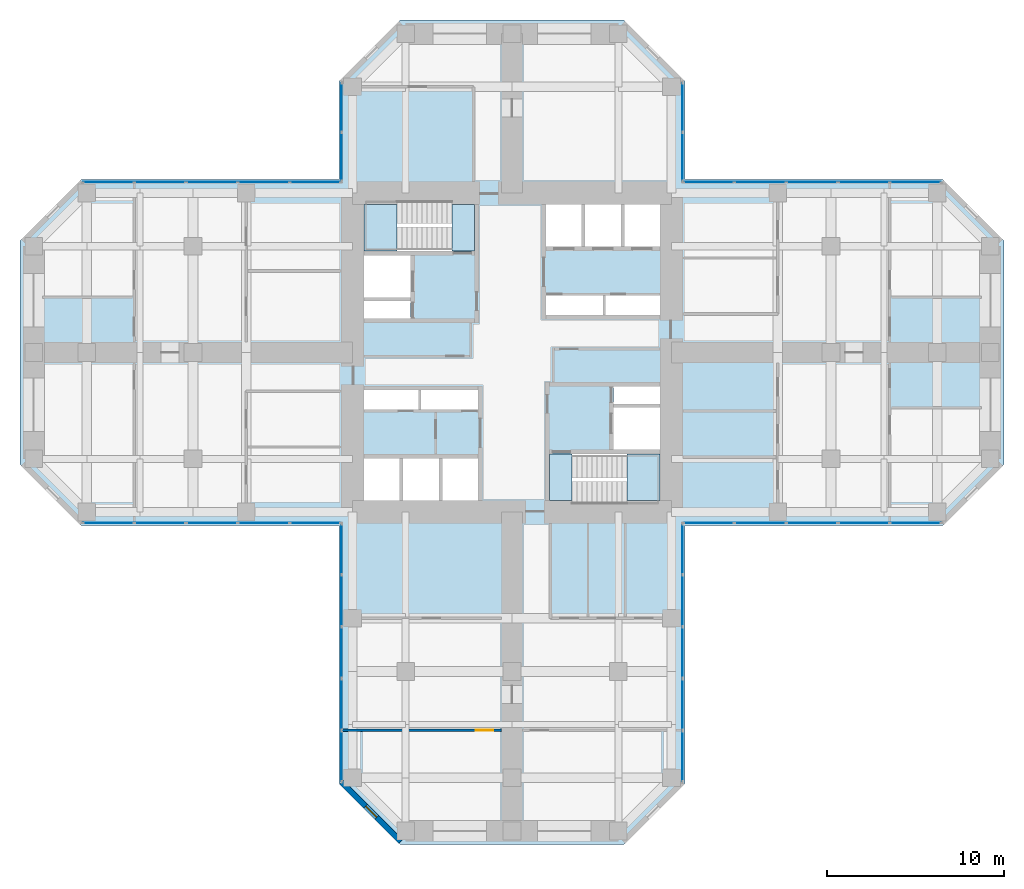
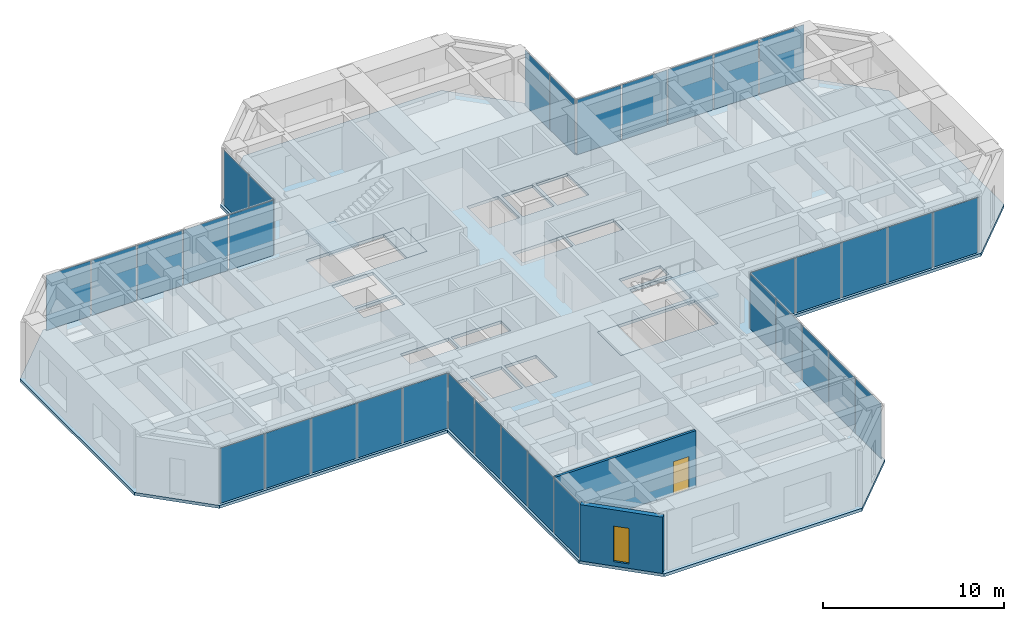
# One storey, part 7 of 13: 34 plates, 5 slabs, 2 walls, 1 door, 1 window, 2 openings, 10 elements without a shape of their own.
"""IFC4 building model written with IfcOpenShell, lengths in metres."""

from ifc_helpers import new_model, si_unit, direction, frame, frame_2d, origin, origin_2d, place, context, subcontext, project, spatial, polyline, rectangle, hollow_rectangle, outline, extrude, material, layer, layer_set, constituent, constituent_set, type_object, element, fill, aggregate, save


model = new_model("IFC4")

# Units and contexts
model_context = context("Model", 3, precision=1e-05, world=origin(), true_north=direction((0.0, 1.0)))
body_context = subcontext(model_context, "Body", "Model", "MODEL_VIEW")
ifc_project = project(units=[si_unit("LENGTHUNIT", "METRE"), si_unit("AREAUNIT", "SQUARE_METRE"), si_unit("VOLUMEUNIT", "CUBIC_METRE"), si_unit("PLANEANGLEUNIT", "RADIAN"), si_unit("MASSUNIT", "GRAM", prefix="KILO")], contexts=[model_context])

# Site, building, storey
site_placement = place(None, origin())
site = spatial("IfcSite", under=ifc_project, at=site_placement, CompositionType="ELEMENT")
building_placement = place(site_placement, origin())
building = spatial("IfcBuilding", under=site, at=building_placement, Name="Torre Cruceta", CompositionType="ELEMENT")
storey_placement = place(building_placement, frame((0.0, 0.0, 124.5)))
storey = spatial("IfcBuildingStorey", under=building, at=storey_placement, Name="L30", CompositionType="ELEMENT", Elevation=124.5)

# Curtain wall, plate
ifc_material_1 = material(Name="Aluminium unitised curtain wall", Category="aluminium")
curtain_wall_type = type_object("IfcCurtainWallType", Name="CURTAIN WALL CW-B OFFICE MID RISE", PredefinedType="USERDEFINED", material=ifc_material_1)
curtain_wall_1_placement = place(storey_placement, origin())
curtain_wall_1 = element("IfcCurtainWall", 1, at=curtain_wall_1_placement, inside=storey, type_object=curtain_wall_type, Name="CW-B L30 E side 00", ObjectType="UNITISED", PredefinedType="USERDEFINED")
ifc_material_2 = material(Name="Laminated insulating glass unit, diagonal frit 50 %", Category="glass")
ifc_material_3 = material(Name="Laminated insulating glass unit, diagonal frit 50 %", Category="glass")
ifc_layer_1 = layer(ifc_material_3, 0.031982421875)
ifc_layer_set_1 = layer_set([ifc_layer_1], Name="Laminated insulating glass unit, diagonal frit 50 %")
plate_type_1 = type_object("IfcPlateType", Name="CW-B OPERABLE VENT PANEL 32", PredefinedType="CURTAIN_PANEL", material=ifc_layer_set_1)
plate_1_placement = place(storey_placement, frame((16.9384765625, -9.6201171875, 0.010009765625), z_axis=(0.0, 0.0, 1.0), x_axis=(1.0, 0.0, 0.0)))
plate_1 = element("IfcPlate", 2, at=plate_1_placement, type_object=plate_type_1, material=ifc_material_2, Name="CW-B vent 3", PredefinedType="CURTAIN_PANEL", context=body_context, shape_type="SweptSolid", body=[
    extrude(rectangle(XDim=2.8623046875, YDim=0.031982421875, at=origin_2d()), origin(), (0.0, 0.0, 1.0), 3.72509765625),
])

curtain_wall_2_placement = place(storey_placement, origin())
curtain_wall_2 = element("IfcCurtainWall", 3, at=curtain_wall_2_placement, inside=storey, type_object=curtain_wall_type, Name="CW-B L30 E side 04", ObjectType="UNITISED", PredefinedType="USERDEFINED")
plate_2_placement = place(storey_placement, frame((16.9384765625, 9.6201171875, 0.010009765625), z_axis=(0.0, 0.0, 1.0), x_axis=(-1.0, 0.0, 0.0)))
plate_2 = element("IfcPlate", 4, at=plate_2_placement, type_object=plate_type_1, material=ifc_material_2, Name="CW-B vent 3", PredefinedType="CURTAIN_PANEL", context=body_context, shape_type="SweptSolid", body=[
    extrude(rectangle(XDim=2.8623046875, YDim=0.031982421875, at=origin_2d()), origin(), (0.0, 0.0, 1.0), 3.72509765625),
])

curtain_wall_3_placement = place(storey_placement, origin())
curtain_wall_3 = element("IfcCurtainWall", 5, at=curtain_wall_3_placement, inside=storey, type_object=curtain_wall_type, Name="CW-B L30 W side 10", ObjectType="UNITISED", PredefinedType="USERDEFINED")
plate_3_placement = place(storey_placement, frame((-16.9384765625, 9.6201171875, 0.010009765625), z_axis=(0.0, 0.0, 1.0), x_axis=(-1.0, 0.0, 0.0)))
plate_3 = element("IfcPlate", 6, at=plate_3_placement, type_object=plate_type_1, material=ifc_material_2, Name="CW-B vent 3", PredefinedType="CURTAIN_PANEL", context=body_context, shape_type="SweptSolid", body=[
    extrude(rectangle(XDim=2.8623046875, YDim=0.031982421875, at=origin_2d()), origin(), (0.0, 0.0, 1.0), 3.72509765625),
])

curtain_wall_4_placement = place(storey_placement, origin())
curtain_wall_4 = element("IfcCurtainWall", 7, at=curtain_wall_4_placement, inside=storey, type_object=curtain_wall_type, Name="CW-B L30 W side 14", ObjectType="UNITISED", PredefinedType="USERDEFINED")
plate_4_placement = place(storey_placement, frame((-16.9384765625, -9.6201171875, 0.010009765625), z_axis=(0.0, 0.0, 1.0), x_axis=(1.0, 0.0, 0.0)))
plate_4 = element("IfcPlate", 8, at=plate_4_placement, type_object=plate_type_1, material=ifc_material_2, Name="CW-B vent 3", PredefinedType="CURTAIN_PANEL", context=body_context, shape_type="SweptSolid", body=[
    extrude(rectangle(XDim=2.8623046875, YDim=0.031982421875, at=origin_2d()), origin(), (0.0, 0.0, 1.0), 3.72509765625),
])

curtain_wall_5_placement = place(storey_placement, origin())
curtain_wall_5 = element("IfcCurtainWall", 9, at=curtain_wall_5_placement, inside=storey, type_object=curtain_wall_type, Name="CW-B L30 S side 15", ObjectType="UNITISED", PredefinedType="USERDEFINED")
plate_5_placement = place(storey_placement, frame((-9.6201171875, -16.9384765625, 0.010009765625), z_axis=(0.0, 0.0, 1.0), x_axis=(0.0, -1.0, 0.0)))
plate_5 = element("IfcPlate", 10, at=plate_5_placement, type_object=plate_type_1, material=ifc_material_2, Name="CW-B vent 3", PredefinedType="CURTAIN_PANEL", context=body_context, shape_type="SweptSolid", body=[
    extrude(rectangle(XDim=2.8623046875, YDim=0.031982421875, at=origin_2d()), origin(), (0.0, 0.0, 1.0), 3.72509765625),
])

curtain_wall_6_placement = place(storey_placement, origin())
curtain_wall_6 = element("IfcCurtainWall", 11, at=curtain_wall_6_placement, inside=storey, type_object=curtain_wall_type, Name="CW-B L30 S side 19", ObjectType="UNITISED", PredefinedType="USERDEFINED")
plate_6_placement = place(storey_placement, frame((9.6201171875, -16.9384765625, 0.010009765625), z_axis=(0.0, 0.0, 1.0), x_axis=(0.0, 1.0, 0.0)))
plate_6 = element("IfcPlate", 12, at=plate_6_placement, type_object=plate_type_1, material=ifc_material_2, Name="CW-B vent 3", PredefinedType="CURTAIN_PANEL", context=body_context, shape_type="SweptSolid", body=[
    extrude(rectangle(XDim=2.8623046875, YDim=0.031982421875, at=origin_2d()), origin(), (0.0, 0.0, 1.0), 3.72509765625),
])

# Plate
ifc_material_4 = material(Name="Laminated insulating glass unit, low-iron clear", Category="glass")
ifc_material_5 = material(Name="Laminated insulating glass unit, diagonal frit 50 %", Category="glass")
ifc_layer_2 = layer(ifc_material_5, 0.031982421875)
ifc_layer_set_2 = layer_set([ifc_layer_2], Name="Laminated insulating glass unit, diagonal frit 50 %")
plate_type_2 = type_object("IfcPlateType", Name="CW-B PANEL 32", PredefinedType="CURTAIN_PANEL", material=ifc_layer_set_2)
plate_7_placement = place(storey_placement, frame((11.099853515625, -9.6201171875, 0.010009765625), z_axis=(0.0, 0.0, 1.0), x_axis=(1.0, 0.0, 0.0)))
plate_7 = element("IfcPlate", 13, at=plate_7_placement, type_object=plate_type_2, material=ifc_material_4, Name="CW-B panel 1", PredefinedType="CURTAIN_PANEL", context=body_context, shape_type="SweptSolid", body=[
    extrude(rectangle(XDim=2.829833984375, YDim=0.031982421875, at=origin_2d()), origin(), (0.0, 0.0, 1.0), 3.72509765625),
])

plate_8_placement = place(storey_placement, frame((14.010986328125, -9.6201171875, 0.010009765625), z_axis=(0.0, 0.0, 1.0), x_axis=(1.0, 0.0, 0.0)))
plate_8 = element("IfcPlate", 14, at=plate_8_placement, type_object=plate_type_2, material=ifc_material_4, Name="CW-B panel 2", PredefinedType="CURTAIN_PANEL", context=body_context, shape_type="SweptSolid", body=[
    extrude(rectangle(XDim=2.8623046875, YDim=0.031982421875, at=origin_2d()), origin(), (0.0, 0.0, 1.0), 3.72509765625),
])

plate_9_placement = place(storey_placement, frame((19.86572265625, -9.6201171875, 0.010009765625), z_axis=(0.0, 0.0, 1.0), x_axis=(1.0, 0.0, 0.0)))
plate_9 = element("IfcPlate", 15, at=plate_9_placement, type_object=plate_type_2, material=ifc_material_2, Name="CW-B panel 4", PredefinedType="CURTAIN_PANEL", context=body_context, shape_type="SweptSolid", body=[
    extrude(rectangle(XDim=2.8623046875, YDim=0.031982421875, at=origin_2d()), origin(), (0.0, 0.0, 1.0), 3.72509765625),
])

plate_10_placement = place(storey_placement, frame((22.77685546875, -9.6201171875, 0.010009765625), z_axis=(0.0, 0.0, 1.0), x_axis=(1.0, 0.0, 0.0)))
plate_10 = element("IfcPlate", 16, at=plate_10_placement, type_object=plate_type_2, material=ifc_material_2, Name="CW-B panel 5", PredefinedType="CURTAIN_PANEL", context=body_context, shape_type="SweptSolid", body=[
    extrude(rectangle(XDim=2.829833984375, YDim=0.031982421875, at=origin_2d()), origin(), (0.0, 0.0, 1.0), 3.72509765625),
])

aggregate(curtain_wall_1, [plate_7, plate_8, plate_1, plate_9, plate_10])

plate_11_placement = place(storey_placement, frame((22.77685546875, 9.6201171875, 0.010009765625), z_axis=(0.0, 0.0, 1.0), x_axis=(-1.0, 0.0, 0.0)))
plate_11 = element("IfcPlate", 17, at=plate_11_placement, type_object=plate_type_2, material=ifc_material_4, Name="CW-B panel 1", PredefinedType="CURTAIN_PANEL", context=body_context, shape_type="SweptSolid", body=[
    extrude(rectangle(XDim=2.829833984375, YDim=0.031982421875, at=origin_2d()), origin(), (0.0, 0.0, 1.0), 3.72509765625),
])

plate_12_placement = place(storey_placement, frame((19.86572265625, 9.6201171875, 0.010009765625), z_axis=(0.0, 0.0, 1.0), x_axis=(-1.0, 0.0, 0.0)))
plate_12 = element("IfcPlate", 18, at=plate_12_placement, type_object=plate_type_2, material=ifc_material_4, Name="CW-B panel 2", PredefinedType="CURTAIN_PANEL", context=body_context, shape_type="SweptSolid", body=[
    extrude(rectangle(XDim=2.8623046875, YDim=0.031982421875, at=origin_2d()), origin(), (0.0, 0.0, 1.0), 3.72509765625),
])

plate_13_placement = place(storey_placement, frame((14.010986328125, 9.6201171875, 0.010009765625), z_axis=(0.0, 0.0, 1.0), x_axis=(-1.0, 0.0, 0.0)))
plate_13 = element("IfcPlate", 19, at=plate_13_placement, type_object=plate_type_2, material=ifc_material_2, Name="CW-B panel 4", PredefinedType="CURTAIN_PANEL", context=body_context, shape_type="SweptSolid", body=[
    extrude(rectangle(XDim=2.8623046875, YDim=0.031982421875, at=origin_2d()), origin(), (0.0, 0.0, 1.0), 3.72509765625),
])

plate_14_placement = place(storey_placement, frame((11.099853515625, 9.6201171875, 0.010009765625), z_axis=(0.0, 0.0, 1.0), x_axis=(-1.0, 0.0, 0.0)))
plate_14 = element("IfcPlate", 20, at=plate_14_placement, type_object=plate_type_2, material=ifc_material_2, Name="CW-B panel 5", PredefinedType="CURTAIN_PANEL", context=body_context, shape_type="SweptSolid", body=[
    extrude(rectangle(XDim=2.829833984375, YDim=0.031982421875, at=origin_2d()), origin(), (0.0, 0.0, 1.0), 3.72509765625),
])

aggregate(curtain_wall_2, [plate_11, plate_12, plate_2, plate_13, plate_14])

# Curtain wall, plates
curtain_wall_7_placement = place(storey_placement, origin())
curtain_wall_7 = element("IfcCurtainWall", 21, at=curtain_wall_7_placement, inside=storey, type_object=curtain_wall_type, Name="CW-B L30 N side 05", ObjectType="UNITISED", PredefinedType="USERDEFINED")
plate_15_placement = place(storey_placement, frame((9.6201171875, 11.04541015625, 0.010009765625), z_axis=(0.0, 0.0, 1.0), x_axis=(0.0, 1.0, 0.0)))
plate_15 = element("IfcPlate", 22, at=plate_15_placement, type_object=plate_type_2, material=ifc_material_4, Name="CW-B panel 1", PredefinedType="CURTAIN_PANEL", context=body_context, shape_type="SweptSolid", body=[
    extrude(rectangle(XDim=2.720947265625, YDim=0.031982421875, at=origin_2d()), origin(), (0.0, 0.0, 1.0), 3.72509765625),
])
plate_16_placement = place(storey_placement, frame((9.6201171875, 13.831298828125, 0.010009765625), z_axis=(0.0, 0.0, 1.0), x_axis=(0.0, 1.0, 0.0)))
plate_16 = element("IfcPlate", 23, at=plate_16_placement, type_object=plate_type_2, material=ifc_material_4, Name="CW-B panel 2", PredefinedType="CURTAIN_PANEL", context=body_context, shape_type="SweptSolid", body=[
    extrude(rectangle(XDim=2.720947265625, YDim=0.031982421875, at=origin_2d()), origin(), (0.0, 0.0, 1.0), 3.72509765625),
])
aggregate(curtain_wall_7, [plate_15, plate_16])

curtain_wall_8_placement = place(storey_placement, origin())
curtain_wall_8 = element("IfcCurtainWall", 24, at=curtain_wall_8_placement, inside=storey, type_object=curtain_wall_type, Name="CW-B L30 N side 09", ObjectType="UNITISED", PredefinedType="USERDEFINED")
plate_17_placement = place(storey_placement, frame((-9.6201171875, 13.831298828125, 0.010009765625), z_axis=(0.0, 0.0, 1.0), x_axis=(0.0, -1.0, 0.0)))
plate_17 = element("IfcPlate", 25, at=plate_17_placement, type_object=plate_type_2, material=ifc_material_4, Name="CW-B panel 1", PredefinedType="CURTAIN_PANEL", context=body_context, shape_type="SweptSolid", body=[
    extrude(rectangle(XDim=2.720947265625, YDim=0.031982421875, at=origin_2d()), origin(), (0.0, 0.0, 1.0), 3.72509765625),
])
plate_18_placement = place(storey_placement, frame((-9.6201171875, 11.04541015625, 0.010009765625), z_axis=(0.0, 0.0, 1.0), x_axis=(0.0, -1.0, 0.0)))
plate_18 = element("IfcPlate", 26, at=plate_18_placement, type_object=plate_type_2, material=ifc_material_4, Name="CW-B panel 2", PredefinedType="CURTAIN_PANEL", context=body_context, shape_type="SweptSolid", body=[
    extrude(rectangle(XDim=2.720947265625, YDim=0.031982421875, at=origin_2d()), origin(), (0.0, 0.0, 1.0), 3.72509765625),
])
aggregate(curtain_wall_8, [plate_17, plate_18])

# Plate
plate_19_placement = place(storey_placement, frame((-11.099853515625, 9.6201171875, 0.010009765625), z_axis=(0.0, 0.0, 1.0), x_axis=(-1.0, 0.0, 0.0)))
plate_19 = element("IfcPlate", 27, at=plate_19_placement, type_object=plate_type_2, material=ifc_material_4, Name="CW-B panel 1", PredefinedType="CURTAIN_PANEL", context=body_context, shape_type="SweptSolid", body=[
    extrude(rectangle(XDim=2.829833984375, YDim=0.031982421875, at=origin_2d()), origin(), (0.0, 0.0, 1.0), 3.72509765625),
])

plate_20_placement = place(storey_placement, frame((-14.010986328125, 9.6201171875, 0.010009765625), z_axis=(0.0, 0.0, 1.0), x_axis=(-1.0, 0.0, 0.0)))
plate_20 = element("IfcPlate", 28, at=plate_20_placement, type_object=plate_type_2, material=ifc_material_4, Name="CW-B panel 2", PredefinedType="CURTAIN_PANEL", context=body_context, shape_type="SweptSolid", body=[
    extrude(rectangle(XDim=2.8623046875, YDim=0.031982421875, at=origin_2d()), origin(), (0.0, 0.0, 1.0), 3.72509765625),
])

plate_21_placement = place(storey_placement, frame((-19.86572265625, 9.6201171875, 0.010009765625), z_axis=(0.0, 0.0, 1.0), x_axis=(-1.0, 0.0, 0.0)))
plate_21 = element("IfcPlate", 29, at=plate_21_placement, type_object=plate_type_2, material=ifc_material_2, Name="CW-B panel 4", PredefinedType="CURTAIN_PANEL", context=body_context, shape_type="SweptSolid", body=[
    extrude(rectangle(XDim=2.8623046875, YDim=0.031982421875, at=origin_2d()), origin(), (0.0, 0.0, 1.0), 3.72509765625),
])

plate_22_placement = place(storey_placement, frame((-22.77685546875, 9.6201171875, 0.010009765625), z_axis=(0.0, 0.0, 1.0), x_axis=(-1.0, 0.0, 0.0)))
plate_22 = element("IfcPlate", 30, at=plate_22_placement, type_object=plate_type_2, material=ifc_material_2, Name="CW-B panel 5", PredefinedType="CURTAIN_PANEL", context=body_context, shape_type="SweptSolid", body=[
    extrude(rectangle(XDim=2.829833984375, YDim=0.031982421875, at=origin_2d()), origin(), (0.0, 0.0, 1.0), 3.72509765625),
])

aggregate(curtain_wall_3, [plate_19, plate_20, plate_3, plate_21, plate_22])

plate_23_placement = place(storey_placement, frame((-22.77685546875, -9.6201171875, 0.010009765625), z_axis=(0.0, 0.0, 1.0), x_axis=(1.0, 0.0, 0.0)))
plate_23 = element("IfcPlate", 31, at=plate_23_placement, type_object=plate_type_2, material=ifc_material_4, Name="CW-B panel 1", PredefinedType="CURTAIN_PANEL", context=body_context, shape_type="SweptSolid", body=[
    extrude(rectangle(XDim=2.829833984375, YDim=0.031982421875, at=origin_2d()), origin(), (0.0, 0.0, 1.0), 3.72509765625),
])

plate_24_placement = place(storey_placement, frame((-19.86572265625, -9.6201171875, 0.010009765625), z_axis=(0.0, 0.0, 1.0), x_axis=(1.0, 0.0, 0.0)))
plate_24 = element("IfcPlate", 32, at=plate_24_placement, type_object=plate_type_2, material=ifc_material_4, Name="CW-B panel 2", PredefinedType="CURTAIN_PANEL", context=body_context, shape_type="SweptSolid", body=[
    extrude(rectangle(XDim=2.8623046875, YDim=0.031982421875, at=origin_2d()), origin(), (0.0, 0.0, 1.0), 3.72509765625),
])

plate_25_placement = place(storey_placement, frame((-14.010986328125, -9.6201171875, 0.010009765625), z_axis=(0.0, 0.0, 1.0), x_axis=(1.0, 0.0, 0.0)))
plate_25 = element("IfcPlate", 33, at=plate_25_placement, type_object=plate_type_2, material=ifc_material_2, Name="CW-B panel 4", PredefinedType="CURTAIN_PANEL", context=body_context, shape_type="SweptSolid", body=[
    extrude(rectangle(XDim=2.8623046875, YDim=0.031982421875, at=origin_2d()), origin(), (0.0, 0.0, 1.0), 3.72509765625),
])

plate_26_placement = place(storey_placement, frame((-11.099853515625, -9.6201171875, 0.010009765625), z_axis=(0.0, 0.0, 1.0), x_axis=(1.0, 0.0, 0.0)))
plate_26 = element("IfcPlate", 34, at=plate_26_placement, type_object=plate_type_2, material=ifc_material_2, Name="CW-B panel 5", PredefinedType="CURTAIN_PANEL", context=body_context, shape_type="SweptSolid", body=[
    extrude(rectangle(XDim=2.829833984375, YDim=0.031982421875, at=origin_2d()), origin(), (0.0, 0.0, 1.0), 3.72509765625),
])

aggregate(curtain_wall_4, [plate_23, plate_24, plate_4, plate_25, plate_26])

plate_27_placement = place(storey_placement, frame((-9.6201171875, -11.099853515625, 0.010009765625), z_axis=(0.0, 0.0, 1.0), x_axis=(0.0, -1.0, 0.0)))
plate_27 = element("IfcPlate", 35, at=plate_27_placement, type_object=plate_type_2, material=ifc_material_4, Name="CW-B panel 1", PredefinedType="CURTAIN_PANEL", context=body_context, shape_type="SweptSolid", body=[
    extrude(rectangle(XDim=2.829833984375, YDim=0.031982421875, at=origin_2d()), origin(), (0.0, 0.0, 1.0), 3.72509765625),
])

plate_28_placement = place(storey_placement, frame((-9.6201171875, -14.010986328125, 0.010009765625), z_axis=(0.0, 0.0, 1.0), x_axis=(0.0, -1.0, 0.0)))
plate_28 = element("IfcPlate", 36, at=plate_28_placement, type_object=plate_type_2, material=ifc_material_4, Name="CW-B panel 2", PredefinedType="CURTAIN_PANEL", context=body_context, shape_type="SweptSolid", body=[
    extrude(rectangle(XDim=2.8623046875, YDim=0.031982421875, at=origin_2d()), origin(), (0.0, 0.0, 1.0), 3.72509765625),
])

plate_29_placement = place(storey_placement, frame((-9.6201171875, -19.86572265625, 0.010009765625), z_axis=(0.0, 0.0, 1.0), x_axis=(0.0, -1.0, 0.0)))
plate_29 = element("IfcPlate", 37, at=plate_29_placement, type_object=plate_type_2, material=ifc_material_2, Name="CW-B panel 4", PredefinedType="CURTAIN_PANEL", context=body_context, shape_type="SweptSolid", body=[
    extrude(rectangle(XDim=2.8623046875, YDim=0.031982421875, at=origin_2d()), origin(), (0.0, 0.0, 1.0), 3.72509765625),
])

plate_30_placement = place(storey_placement, frame((-9.6201171875, -22.77685546875, 0.010009765625), z_axis=(0.0, 0.0, 1.0), x_axis=(0.0, -1.0, 0.0)))
plate_30 = element("IfcPlate", 38, at=plate_30_placement, type_object=plate_type_2, material=ifc_material_2, Name="CW-B panel 5", PredefinedType="CURTAIN_PANEL", context=body_context, shape_type="SweptSolid", body=[
    extrude(rectangle(XDim=2.829833984375, YDim=0.031982421875, at=origin_2d()), origin(), (0.0, 0.0, 1.0), 3.72509765625),
])

aggregate(curtain_wall_5, [plate_27, plate_28, plate_5, plate_29, plate_30])

plate_31_placement = place(storey_placement, frame((9.6201171875, -22.77685546875, 0.010009765625), z_axis=(0.0, 0.0, 1.0), x_axis=(0.0, 1.0, 0.0)))
plate_31 = element("IfcPlate", 39, at=plate_31_placement, type_object=plate_type_2, material=ifc_material_4, Name="CW-B panel 1", PredefinedType="CURTAIN_PANEL", context=body_context, shape_type="SweptSolid", body=[
    extrude(rectangle(XDim=2.829833984375, YDim=0.031982421875, at=origin_2d()), origin(), (0.0, 0.0, 1.0), 3.72509765625),
])

plate_32_placement = place(storey_placement, frame((9.6201171875, -19.86572265625, 0.010009765625), z_axis=(0.0, 0.0, 1.0), x_axis=(0.0, 1.0, 0.0)))
plate_32 = element("IfcPlate", 40, at=plate_32_placement, type_object=plate_type_2, material=ifc_material_4, Name="CW-B panel 2", PredefinedType="CURTAIN_PANEL", context=body_context, shape_type="SweptSolid", body=[
    extrude(rectangle(XDim=2.8623046875, YDim=0.031982421875, at=origin_2d()), origin(), (0.0, 0.0, 1.0), 3.72509765625),
])

plate_33_placement = place(storey_placement, frame((9.6201171875, -14.010986328125, 0.010009765625), z_axis=(0.0, 0.0, 1.0), x_axis=(0.0, 1.0, 0.0)))
plate_33 = element("IfcPlate", 41, at=plate_33_placement, type_object=plate_type_2, material=ifc_material_2, Name="CW-B panel 4", PredefinedType="CURTAIN_PANEL", context=body_context, shape_type="SweptSolid", body=[
    extrude(rectangle(XDim=2.8623046875, YDim=0.031982421875, at=origin_2d()), origin(), (0.0, 0.0, 1.0), 3.72509765625),
])

plate_34_placement = place(storey_placement, frame((9.6201171875, -11.099853515625, 0.010009765625), z_axis=(0.0, 0.0, 1.0), x_axis=(0.0, 1.0, 0.0)))
plate_34 = element("IfcPlate", 42, at=plate_34_placement, type_object=plate_type_2, material=ifc_material_2, Name="CW-B panel 5", PredefinedType="CURTAIN_PANEL", context=body_context, shape_type="SweptSolid", body=[
    extrude(rectangle(XDim=2.829833984375, YDim=0.031982421875, at=origin_2d()), origin(), (0.0, 0.0, 1.0), 3.72509765625),
])

aggregate(curtain_wall_6, [plate_31, plate_32, plate_6, plate_33, plate_34])

# Slab
ifc_material_6 = material(Name="Concrete G35 (fck 35 MPa)", Category="concrete")
ifc_layer_3 = layer(ifc_material_6, 0.199951171875)
ifc_layer_set_3 = layer_set([ifc_layer_3], Name="Concrete G35 (fck 35 MPa)")
slab_type_1 = type_object("IfcSlabType", Name="FLOOR SLAB 200", PredefinedType="FLOOR", material=ifc_layer_set_3)
slab_1_placement = place(storey_placement, frame((0.0, 0.0, -0.199951171875)))
element("IfcSlab", 43, at=slab_1_placement, inside=storey, type_object=slab_type_1, Name="Floor Slab L30", PredefinedType="FLOOR", context=body_context, shape_type="SweptSolid", body=[
    extrude(outline(polyline([(9.77001953125, -9.77001953125), (9.77001953125, -24.31884765625), (6.31884765625, -27.77001953125), (-6.31884765625, -27.77001953125), (-9.77001953125, -24.31884765625), (-9.77001953125, -9.77001953125), (-24.31884765625, -9.77001953125), (-27.77001953125, -6.31884765625), (-27.77001953125, 6.31884765625), (-24.31884765625, 9.77001953125), (-9.77001953125, 9.77001953125), (-9.77001953125, 15.31884765625), (-6.31884765625, 18.77001953125), (6.31884765625, 18.77001953125), (9.77001953125, 15.31884765625), (9.77001953125, 9.77001953125), (24.31884765625, 9.77001953125), (27.77001953125, 6.31884765625), (27.77001953125, -6.31884765625), (24.31884765625, -9.77001953125), (9.77001953125, -9.77001953125)]), holes=[polyline([(1.925048828125, 5.97509765625), (3.933349609375, 5.97509765625), (3.933349609375, 8.35009765625), (1.925048828125, 8.35009765625), (1.925048828125, 5.97509765625)]), polyline([(4.13330078125, 5.97509765625), (6.1416015625, 5.97509765625), (6.1416015625, 8.35009765625), (4.13330078125, 8.35009765625), (4.13330078125, 5.97509765625)]), polyline([(6.341552734375, 5.97509765625), (8.35009765625, 5.97509765625), (8.35009765625, 8.35009765625), (6.341552734375, 8.35009765625), (6.341552734375, 5.97509765625)]), polyline([(1.925048828125, 2.125), (5.125, 2.125), (5.125, 3.22509765625), (1.925048828125, 3.22509765625), (1.925048828125, 2.125)]), polyline([(5.27490234375, 2.125), (8.35009765625, 2.125), (8.35009765625, 3.22509765625), (5.27490234375, 3.22509765625), (5.27490234375, 2.125)]), polyline([(-8.35009765625, 3.10009765625), (-5.72509765625, 3.10009765625), (-5.72509765625, 5.47509765625), (-8.35009765625, 5.47509765625), (-8.35009765625, 3.10009765625)]), polyline([(-8.35009765625, 1.925048828125), (-5.72509765625, 1.925048828125), (-5.72509765625, 2.89990234375), (-8.35009765625, 2.89990234375), (-8.35009765625, 1.925048828125)]), polyline([(-3.933349609375, -8.35009765625), (-1.925048828125, -8.35009765625), (-1.925048828125, -5.97509765625), (-3.933349609375, -5.97509765625), (-3.933349609375, -8.35009765625)]), polyline([(-6.1416015625, -8.35009765625), (-4.13330078125, -8.35009765625), (-4.13330078125, -5.97509765625), (-6.1416015625, -5.97509765625), (-6.1416015625, -8.35009765625)]), polyline([(-8.35009765625, -8.35009765625), (-6.341552734375, -8.35009765625), (-6.341552734375, -5.97509765625), (-8.35009765625, -5.97509765625), (-8.35009765625, -8.35009765625)]), polyline([(-5.125, -3.22509765625), (-1.925048828125, -3.22509765625), (-1.925048828125, -2.125), (-5.125, -2.125), (-5.125, -3.22509765625)]), polyline([(-8.35009765625, -3.22509765625), (-5.27490234375, -3.22509765625), (-5.27490234375, -2.125), (-8.35009765625, -2.125), (-8.35009765625, -3.22509765625)]), polyline([(5.72509765625, -5.47509765625), (8.35009765625, -5.47509765625), (8.35009765625, -3.10009765625), (5.72509765625, -3.10009765625), (5.72509765625, -5.47509765625)]), polyline([(5.72509765625, -2.89990234375), (8.35009765625, -2.89990234375), (8.35009765625, -1.925048828125), (5.72509765625, -1.925048828125), (5.72509765625, -2.89990234375)]), polyline([(-8.35009765625, 5.72509765625), (-8.35009765625, 8.35009765625), (-3.39990234375, 8.35009765625), (-2.125, 8.35009765625), (-2.125, 5.72509765625), (-3.39990234375, 5.72509765625), (-8.35009765625, 5.72509765625)]), polyline([(2.125, -5.72509765625), (3.39990234375, -5.72509765625), (8.35009765625, -5.72509765625), (8.35009765625, -8.35009765625), (3.39990234375, -8.35009765625), (2.125, -8.35009765625), (2.125, -5.72509765625)])]), origin(), (0.0, 0.0, 1.0), 0.199951171875),
])

# Stair, slab
ifc_material_7 = material(Name="Concrete G30 (fck 30 MPa)", Category="concrete")
stair_type = type_object("IfcStairType", Name="STAIR HALF-TURN 1300", PredefinedType="HALF_TURN_STAIR", material=ifc_material_7)
stair_1_placement = place(storey_placement, origin())
stair_1 = element("IfcStair", 44, at=stair_1_placement, inside=storey, type_object=stair_type, Name="Stair ST1 L30", PredefinedType="HALF_TURN_STAIR")
ifc_material_8 = material(Name="Concrete G30 (fck 30 MPa)", Category="concrete")
ifc_layer_4 = layer(ifc_material_8, 0.199951171875)
ifc_layer_set_4 = layer_set([ifc_layer_4], Name="Concrete G30 (fck 30 MPa)")
slab_type_2 = type_object("IfcSlabType", Name="STAIR LANDING 200", PredefinedType="LANDING", material=ifc_layer_set_4)
slab_2_placement = place(storey_placement, frame((0.0, 0.0, 1.800048828125)))
slab_2 = element("IfcSlab", 45, at=slab_2_placement, type_object=slab_type_2, Name="ST1 landing 1", PredefinedType="LANDING", context=body_context, shape_type="SweptSolid", body=[
    extrude(outline(polyline([(-8.35009765625, 5.72509765625), (-6.47998046875, 5.72509765625), (-6.47998046875, 8.35009765625), (-8.35009765625, 8.35009765625), (-8.35009765625, 5.72509765625)])), origin(), (0.0, 0.0, 1.0), 0.199951171875),
])
aggregate(stair_1, [slab_2])

stair_2_placement = place(storey_placement, origin())
stair_2 = element("IfcStair", 46, at=stair_2_placement, inside=storey, type_object=stair_type, Name="Stair ST2 L30", PredefinedType="HALF_TURN_STAIR")
slab_3_placement = place(storey_placement, frame((0.0, 0.0, 1.800048828125)))
slab_3 = element("IfcSlab", 47, at=slab_3_placement, type_object=slab_type_2, Name="ST2 landing 1", PredefinedType="LANDING", context=body_context, shape_type="SweptSolid", body=[
    extrude(outline(polyline([(6.47998046875, -8.35009765625), (8.35009765625, -8.35009765625), (8.35009765625, -5.72509765625), (6.47998046875, -5.72509765625), (6.47998046875, -8.35009765625)])), origin(), (0.0, 0.0, 1.0), 0.199951171875),
])
aggregate(stair_2, [slab_3])

# Slabs
slab_4_placement = place(storey_placement, frame((0.0, 0.0, -0.199951171875)))
element("IfcSlab", 48, at=slab_4_placement, inside=storey, type_object=slab_type_2, Name="Stair ST1 floor landing L30", PredefinedType="LANDING", context=body_context, shape_type="SweptSolid", body=[
    extrude(outline(polyline([(-2.125, 8.35009765625), (-2.125, 5.72509765625), (-3.39990234375, 5.72509765625), (-3.39990234375, 8.35009765625), (-2.125, 8.35009765625)])), origin(), (0.0, 0.0, 1.0), 0.199951171875),
])
slab_5_placement = place(storey_placement, frame((0.0, 0.0, -0.199951171875)))
element("IfcSlab", 49, at=slab_5_placement, inside=storey, type_object=slab_type_2, Name="Stair ST2 floor landing L30", PredefinedType="LANDING", context=body_context, shape_type="SweptSolid", body=[
    extrude(outline(polyline([(2.125, -8.35009765625), (2.125, -5.72509765625), (3.39990234375, -5.72509765625), (3.39990234375, -8.35009765625), (2.125, -8.35009765625)])), origin(), (0.0, 0.0, 1.0), 0.199951171875),
])

# Wall, opening, window
ifc_material_9 = material(Name="Concrete G30 (fck 30 MPa)", Category="concrete")
ifc_layer_5 = layer(ifc_material_9, 0.300048828125)
ifc_layer_set_5 = layer_set([ifc_layer_5], Name="Concrete G30 (fck 30 MPa)")
wall_type_1 = type_object("IfcWallType", Name="EXPOSED CONCRETE FACADE WALL 300", PredefinedType="SOLIDWALL", material=ifc_layer_set_5)
wall_1_placement = place(storey_placement, frame((-9.6201171875, -24.2568359375, 0.0), z_axis=(0.0, 0.0, 1.0), x_axis=(0.707106781187, -0.707106781187, 0.0)))
wall_1 = element("IfcWall", 50, at=wall_1_placement, inside=storey, type_object=wall_type_1, Name="EW1 facade wall L30 S chamfer 16", PredefinedType="SOLIDWALL", context=body_context, shape_type="SweptSolid", body=[
    extrude(rectangle(XDim=4.72802734375, YDim=0.300048828125, at=frame_2d((2.364013671875, 0.0))), origin(), (0.0, 0.0, 1.0), 3.800048828125),
])
opening_1_placement = place(wall_1_placement, frame((1.9140625, 0.0, 0.300048828125)))
opening_1 = element("IfcOpeningElement", 51, at=opening_1_placement, cuts=wall_1, Name="Opening WN5", PredefinedType="OPENING", context=body_context, shape_type="SweptSolid", body=[
    extrude(rectangle(XDim=0.89990234375, YDim=2.39990234375, at=frame_2d((0.449951171875, 1.199951171875))), frame((0.0, 0.159912109375, 0.0), z_axis=(0.0, -1.0, 0.0), x_axis=(1.0, 0.0, 0.0)), (0.0, 0.0, 1.0), 0.320068359375),
])
ifc_material_10 = material(Name="Aluminium window frame", Category="aluminium")
ifc_constituent_1 = constituent(ifc_material_10, Name="Frame")
ifc_material_11 = material(Name="Laminated insulating glass unit, low-iron clear", Category="glass")
ifc_constituent_2 = constituent(ifc_material_11, Name="Glazing")
ifc_constituent_set_1 = constituent_set(constituents=[ifc_constituent_1, ifc_constituent_2], Name="Aluminium window")
window_type = type_object("IfcWindowType", Name="CHAMFER SLOT WINDOW 900X2400", PartitioningType="SINGLE_PANEL", PredefinedType="WINDOW", material=ifc_constituent_set_1)
window_placement = place(opening_1_placement, origin())
window = element("IfcWindow", 52, at=window_placement, inside=storey, type_object=window_type, Name="WN5 L30 S 1", OverallHeight=2.39990234375, OverallWidth=0.89990234375, PartitioningType="SINGLE_PANEL", PredefinedType="WINDOW", context=body_context, shape_type="SweptSolid", body=[
    extrude(hollow_rectangle(XDim=0.89990234375, YDim=2.39990234375, WallThickness=0.06005859375, at=frame_2d((0.449951171875, 1.199951171875))), frame((0.0, 0.030029296875, 0.0), z_axis=(0.0, -1.0, 0.0), x_axis=(1.0, 0.0, 0.0)), (0.0, 0.0, 1.0), 0.06005859375),
    extrude(rectangle(XDim=0.77880859375, YDim=2.27880859375, at=frame_2d((0.449951171875, 1.199951171875))), frame((0.0, 0.030029296875, 0.0), z_axis=(0.0, -1.0, 0.0), x_axis=(1.0, 0.0, 0.0)), (0.0, 0.0, 1.0), 0.06005859375),
])
fill(opening_1, window)

# Wall, opening, door
ifc_material_12 = material(Name="Plasterboard on steel studs", Category="steel")
ifc_layer_6 = layer(ifc_material_12, 0.14990234375)
ifc_layer_set_6 = layer_set([ifc_layer_6], Name="Plasterboard on steel studs")
wall_type_2 = type_object("IfcWallType", Name="PARTITION 150", PredefinedType="PARTITIONING", material=ifc_layer_set_6)
wall_2_placement = place(storey_placement, frame((-9.580078125, -21.320068359375, 0.0), z_axis=(0.0, 0.0, 1.0), x_axis=(1.0, 0.0, 0.0)))
wall_2 = element("IfcWall", 53, at=wall_2_placement, inside=storey, type_object=wall_type_2, Name="PT1 L30-S-TWR", PredefinedType="PARTITIONING", context=body_context, shape_type="SweptSolid", body=[
    extrude(rectangle(XDim=8.97998046875, YDim=0.14990234375, at=frame_2d((4.489990234375, 0.0))), origin(), (0.0, 0.0, 1.0), 3.800048828125),
])
opening_2_placement = place(wall_2_placement, frame((7.530029296875, 0.0, 0.0)))
opening_2 = element("IfcOpeningElement", 54, at=opening_2_placement, cuts=wall_2, Name="Opening D14", PredefinedType="OPENING", context=body_context, shape_type="SweptSolid", body=[
    extrude(rectangle(XDim=1.0, YDim=2.199951171875, at=frame_2d((0.5, 1.10009765625))), frame((0.0, 0.0849609375, 0.0), z_axis=(0.0, -1.0, 0.0), x_axis=(1.0, 0.0, 0.0)), (0.0, 0.0, 1.0), 0.169921875),
])
ifc_material_13 = material(Name="Steel DX51D", Category="steel")
ifc_constituent_3 = constituent(ifc_material_13, Name="Leaf and frame")
ifc_material_14 = material(Name="Polyester powder coating", Category="paint")
ifc_constituent_4 = constituent(ifc_material_14, Name="Finish")
ifc_material_15 = material(Name="Fire-resisting glass", Category="glass")
ifc_constituent_5 = constituent(ifc_material_15, Name="Vision panel")
ifc_constituent_set_2 = constituent_set(constituents=[ifc_constituent_3, ifc_constituent_4, ifc_constituent_5], Name="Steel fire door with vision panel")
door_type = type_object("IfcDoorType", Name="FIRE DOOR VISION PANEL 1000X2200", OperationType="SINGLE_SWING_RIGHT", PredefinedType="DOOR", material=ifc_constituent_set_2)
door_placement = place(opening_2_placement, frame((1.0, 0.0, 0.0), z_axis=(0.0, 0.0, 1.0), x_axis=(-1.0, 0.0, 0.0)))
door = element("IfcDoor", 55, at=door_placement, inside=storey, type_object=door_type, Name="D14 L30-S-TWR-D1", OperationType="SINGLE_SWING_LEFT", OverallHeight=2.199951171875, OverallWidth=1.0, PredefinedType="DOOR", context=body_context, shape_type="SweptSolid", body=[
    extrude(rectangle(XDim=1.0, YDim=2.199951171875, at=frame_2d((0.5, 1.10009765625))), frame((0.0, 0.025146484375, 0.0), z_axis=(0.0, -1.0, 0.0), x_axis=(1.0, 0.0, 0.0)), (0.0, 0.0, 1.0), 0.050048828125),
])
fill(opening_2, door)

save(model, "model.ifc")
